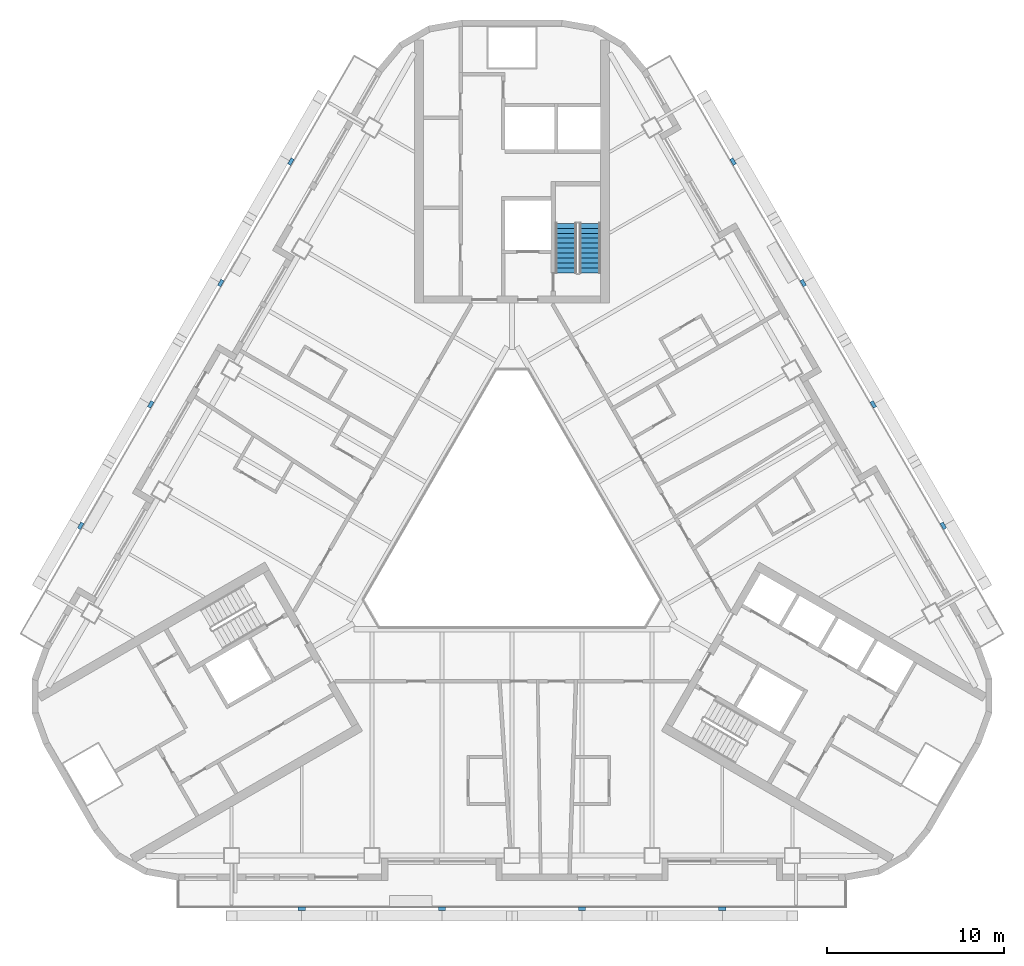
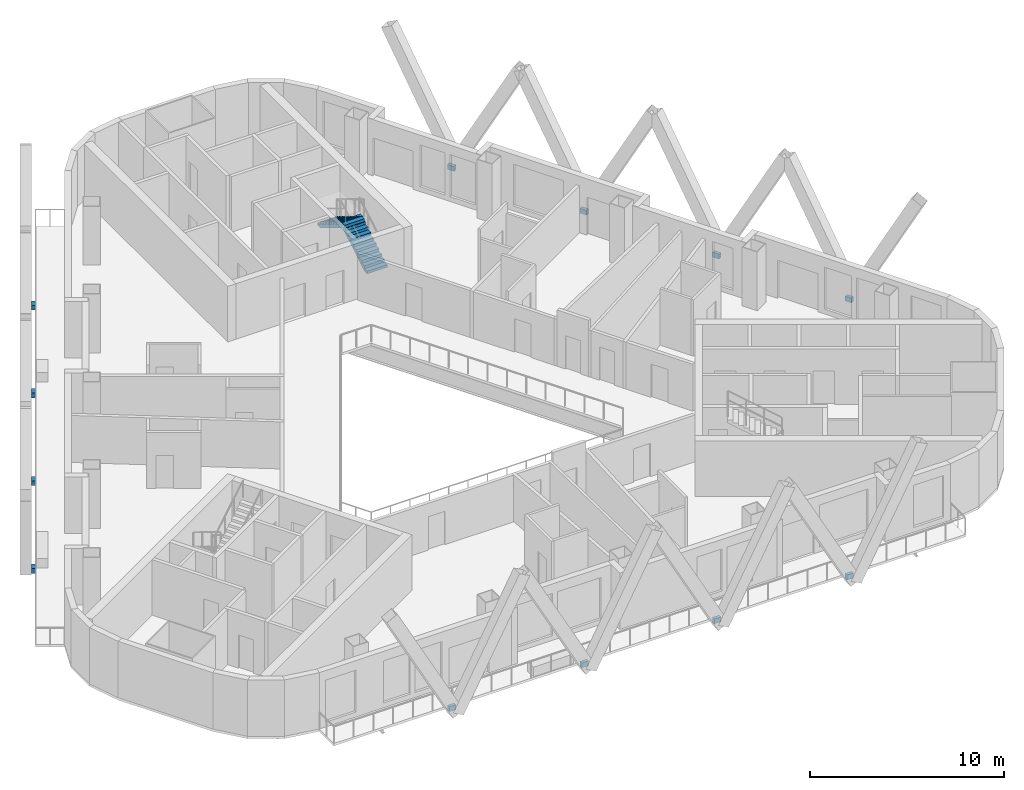
# One storey, part 8 of 14: 12 discrete accessories, 2 stair flights, 1 element without a shape of its own.
"""IFC4 building model written with IfcOpenShell, lengths in metres."""

import ifcopenshell
import ifcopenshell.guid

model = None  # the IFC model being written
_history = None  # IfcOwnerHistory: only IFC2X3 demands one
_inside = {}  # id of a spatial element -> (the spatial element, [elements in it])
_under = {}  # id of a project, library or spatial element -> (it, [spatial elements below it])
_declared = {}  # id of a project -> (the project, [libraries it declares])
_typed = {}  # id of a type object -> (the type object, [elements of that type])
_made_of = {}  # id of a material, layer set ... -> (it, [elements and type objects made of it])


def new_model(schema):
    """Start an empty IFC model of exactly this schema.

    Asked for "IFC4X3", IfcOpenShell would pick the latest addendum, in which some entities
    have other attributes; the version numbers below select the first issue.
    IFC2X3 requires an IfcOwnerHistory on every rooted entity: one is made here for all.
    """
    global model, _history
    if schema == "IFC4X3":
        model = ifcopenshell.file(schema_version=(4, 3, 0, 0))
    else:
        model = ifcopenshell.file(schema=schema)
    _inside.clear()
    _under.clear()
    _declared.clear()
    _typed.clear()
    _made_of.clear()
    _history = None
    if model.schema == "IFC2X3":
        org = make("IfcOrganization", Name="unknown")
        user = make(
            "IfcPersonAndOrganization",
            ThePerson=make("IfcPerson", FamilyName="unknown"),
            TheOrganization=org,
        )
        app = make(
            "IfcApplication",
            ApplicationDeveloper=org,
            Version="unknown",
            ApplicationFullName="unknown",
            ApplicationIdentifier="unknown",
        )
        _history = make(
            "IfcOwnerHistory",
            OwningUser=user,
            OwningApplication=app,
            ChangeAction="ADDED",
            CreationDate=0,
        )
    return model


def make(cls, **values):
    """One entity of the class cls with the attributes given. An attribute that is None is left unset."""
    return model.create_entity(
        cls, **{name: value for name, value in values.items() if value is not None}
    )


def rooted(cls, **values):
    """An entity with a GlobalId (a new one), such as an element, a storey or a relation."""
    return make(cls, GlobalId=ifcopenshell.guid.new(), OwnerHistory=_history, **values)


def si_unit(unit_type, name, prefix=None):
    """IfcSIUnit, for example si_unit("LENGTHUNIT", "METRE", prefix="MILLI")."""
    return make("IfcSIUnit", UnitType=unit_type, Prefix=prefix, Name=name)


def assignment(units):
    """IfcUnitAssignment: the units of a project."""
    return None if units is None else make("IfcUnitAssignment", Units=units)


def point(xyz):
    """IfcCartesianPoint."""
    return None if xyz is None else make("IfcCartesianPoint", Coordinates=xyz)


def direction(xyz):
    """IfcDirection."""
    return None if xyz is None else make("IfcDirection", DirectionRatios=xyz)


def frame(location, z_axis=None, x_axis=None):
    """IfcAxis2Placement3D, a coordinate frame: its origin and axes. An axis left out is left unset."""
    return make(
        "IfcAxis2Placement3D",
        Location=point(location),
        Axis=direction(z_axis),
        RefDirection=direction(x_axis),
    )


def frame_2d(location, x_axis=None):
    """IfcAxis2Placement2D, a coordinate frame in the plane: its origin and x axis."""
    return make(
        "IfcAxis2Placement2D", Location=point(location), RefDirection=direction(x_axis)
    )


def origin():
    """The frame at (0, 0, 0) with its axes left unset."""
    return frame((0.0, 0.0, 0.0))


def origin_2d():
    """The frame at (0, 0) in the plane with its x axis left unset."""
    return frame_2d((0.0, 0.0))


def place(relative_to, where):
    """IfcLocalPlacement: puts the frame where relative to a parent placement (None: the world)."""
    return make(
        "IfcLocalPlacement", PlacementRelTo=relative_to, RelativePlacement=where
    )


def context(
    kind, dimensions, precision=None, world=None, true_north=None, identifier=None
):
    """IfcGeometricRepresentationContext, for example the 3D "Model" context."""
    return make(
        "IfcGeometricRepresentationContext",
        ContextIdentifier=identifier,
        ContextType=kind,
        CoordinateSpaceDimension=dimensions,
        Precision=precision,
        WorldCoordinateSystem=world,
        TrueNorth=true_north,
    )


def subcontext(parent, identifier, kind, view, scale=None):
    """IfcGeometricRepresentationSubContext, for example "Body" below "Model"."""
    return make(
        "IfcGeometricRepresentationSubContext",
        ContextIdentifier=identifier,
        ContextType=kind,
        ParentContext=parent,
        TargetScale=scale,
        TargetView=view,
    )


def project(units=None, contexts=None):
    """IfcProject with its units and contexts."""
    return rooted(
        "IfcProject",
        Name="project",
        RepresentationContexts=contexts,
        UnitsInContext=assignment(units),
    )


def spatial(cls, under=None, at=None, **own):
    """A site, building, storey or space (cls), placed at a placement, below another one or the project."""
    s = rooted(cls, ObjectPlacement=at, **own)
    if under is not None:
        _under.setdefault(under.id(), (under, []))[1].append(s)
    return s


def polyline(points):
    """IfcPolyline through the points."""
    return make("IfcPolyline", Points=[point(p) for p in points])


def profile(cls, at=None, kind="AREA", **sizes):
    """A parametric profile (cls). Its sizes go by their IFC names, for example OverallWidth=200.0."""
    return make(cls, ProfileType=kind, Position=at, **sizes)


def rectangle(**sizes):
    """IfcRectangleProfileDef."""
    return profile("IfcRectangleProfileDef", **sizes)


def outline(outer, holes=None, kind="AREA"):
    """IfcArbitraryClosedProfileDef: a profile drawn as a closed curve; with holes, ...WithVoids."""
    if holes is None:
        return make("IfcArbitraryClosedProfileDef", ProfileType=kind, OuterCurve=outer)
    return make(
        "IfcArbitraryProfileDefWithVoids",
        ProfileType=kind,
        OuterCurve=outer,
        InnerCurves=holes,
    )


def extrude(swept, where, along, depth):
    """IfcExtrudedAreaSolid: the profile swept, set in the frame where, extruded along a direction by depth."""
    return make(
        "IfcExtrudedAreaSolid",
        SweptArea=swept,
        Position=where,
        ExtrudedDirection=direction(along),
        Depth=depth,
    )


def shape(context_of_items, identifier, shape_type, items):
    """IfcShapeRepresentation: the items that make up one representation, for example the "Body"."""
    return make(
        "IfcShapeRepresentation",
        ContextOfItems=context_of_items,
        RepresentationIdentifier=identifier,
        RepresentationType=shape_type,
        Items=items,
    )


def material(Name=None, Category=None):
    """IfcMaterial."""
    return make("IfcMaterial", Name=Name, Category=Category)


def made_of(thing, what):
    """Note that an element or type object is made of a material, layer set ...; save() writes the relation."""
    if what is not None:
        _made_of.setdefault(what.id(), (what, []))[1].append(thing)
    return thing


def type_object(cls, material=None, **own):
    """A type object (cls), such as IfcWallType, which elements share."""
    return made_of(rooted(cls, **own), material)


def element(
    cls,
    number,
    at=None,
    inside=None,
    cuts=None,
    type_object=None,
    material=None,
    context=None,
    identifier="Body",
    shape_type=None,
    held_by="IfcProductDefinitionShape",
    body=None,
    shapes=None,
    **own,
):
    """One element of the class cls, such as IfcWall. Its Tag is "e" and its number.

    at: its placement. inside: the storey or other place that contains it. cuts: it is an
    opening in that element (IfcRelVoidsElement). A single representation is given by context,
    identifier, shape_type and body (its items); several are given by shapes. held_by: the class
    of the entity that holds the representations. save() writes the other relations.
    """
    e = rooted(cls, Tag="e%d" % number, ObjectPlacement=at, **own)
    if body is not None:
        shapes = [shape(context, identifier, shape_type, body)]
    if shapes is not None:
        e.Representation = make(held_by, Representations=shapes)
    if inside is not None:
        _inside.setdefault(inside.id(), (inside, []))[1].append(e)
    if cuts is not None:
        rooted(
            "IfcRelVoidsElement", RelatingBuildingElement=cuts, RelatedOpeningElement=e
        )
    if type_object is not None:
        _typed.setdefault(type_object.id(), (type_object, []))[1].append(e)
    return made_of(e, material)


def aggregate(whole, parts):
    """IfcRelAggregates: a whole, such as a stair, and the parts it consists of."""
    return rooted("IfcRelAggregates", RelatingObject=whole, RelatedObjects=parts)


def save(model, path):
    """Write the relations noted so far, then the file.

    IfcRelAggregates (storeys below a building ...), IfcRelContainedInSpatialStructure (elements
    in a storey), IfcRelDefinesByType, IfcRelAssociatesMaterial and IfcRelDeclares: one each for
    every whole, place, type object, material and project.
    """
    for whole, parts in _under.values():
        aggregate(whole, parts)
    for where, things in _inside.values():
        rooted(
            "IfcRelContainedInSpatialStructure",
            RelatedElements=things,
            RelatingStructure=where,
        )
    for kind, things in _typed.values():
        rooted("IfcRelDefinesByType", RelatedObjects=things, RelatingType=kind)
    for what, things in _made_of.values():
        rooted("IfcRelAssociatesMaterial", RelatedObjects=things, RelatingMaterial=what)
    for by, libraries in _declared.values():
        rooted("IfcRelDeclares", RelatingContext=by, RelatedDefinitions=libraries)
    model.write(path)


model = new_model("IFC4")

# Units and contexts
model_context = context("Model", 3, precision=1e-05, world=origin(), true_north=direction((0.0, 1.0)))
body_context = subcontext(model_context, "Body", "Model", "MODEL_VIEW")
ifc_project = project(units=[si_unit("LENGTHUNIT", "METRE"), si_unit("AREAUNIT", "SQUARE_METRE"), si_unit("VOLUMEUNIT", "CUBIC_METRE"), si_unit("PLANEANGLEUNIT", "RADIAN"), si_unit("MASSUNIT", "GRAM", prefix="KILO")], contexts=[model_context])

# Site, building, storey
site_placement = place(None, origin())
site = spatial("IfcSite", under=ifc_project, at=site_placement, CompositionType="ELEMENT")
building_placement = place(site_placement, origin())
building = spatial("IfcBuilding", under=site, at=building_placement, Name="Apuvela Tower Hotel", CompositionType="ELEMENT")
storey_placement = place(building_placement, frame((0.0, 0.0, 113.10009765625)))
storey = spatial("IfcBuildingStorey", under=building, at=storey_placement, Name="L26", CompositionType="ELEMENT", Elevation=113.10009765625)

# Stair, stair flights
ifc_material_1 = material(Name="Concrete C50/60", Category="concrete")
stair_type = type_object("IfcStairType", Name="COR-STAIR-22R", PredefinedType="HALF_TURN_STAIR", material=ifc_material_1)
stair_placement = place(storey_placement, origin())
stair = element("IfcStair", 1, at=stair_placement, inside=storey, type_object=stair_type, Name="L26 Exit stair ST1", PredefinedType="HALF_TURN_STAIR")
stair_flight_type = type_object("IfcStairFlightType", Name="COR-FLIGHT-11R", PredefinedType="STRAIGHT", material=ifc_material_1)
stair_flight_1_placement = place(storey_placement, frame((4.39990234375, 14.60009765625, 0.0), z_axis=(0.0, 0.0, 1.0), x_axis=(0.0, 1.0, 0.0)))
stair_flight_1 = element("IfcStairFlight", 2, at=stair_flight_1_placement, type_object=stair_flight_type, Name="ST1 flight 1", NumberOfRisers=11, NumberOfTreads=10, PredefinedType="STRAIGHT", RiserHeight=0.168181818, TreadLength=0.28, context=body_context, shape_type="SweptSolid", body=[
    extrude(outline(polyline([(0.0, 0.0), (0.0, 0.168212890625), (0.280029296875, 0.168212890625), (0.280029296875, 0.33642578125), (0.56005859375, 0.33642578125), (0.56005859375, 0.504638671875), (0.840087890625, 0.504638671875), (0.840087890625, 0.672607421875), (1.1201171875, 0.672607421875), (1.1201171875, 0.8408203125), (1.39990234375, 0.8408203125), (1.39990234375, 1.009033203125), (1.679931640625, 1.009033203125), (1.679931640625, 1.17724609375), (1.9599609375, 1.17724609375), (1.9599609375, 1.345458984375), (2.239990234375, 1.345458984375), (2.239990234375, 1.513671875), (2.52001953125, 1.513671875), (2.52001953125, 1.681884765625), (2.800048828125, 1.681884765625), (2.800048828125, 1.85009765625), (2.800048828125, 1.5068359375), (0.291015625, 0.0), (0.0, 0.0)])), frame((0.0, 0.60009765625, 0.0), z_axis=(0.0, -1.0, 0.0), x_axis=(1.0, 0.0, 0.0)), (0.0, 0.0, 1.0), 1.199951171875),
])
stair_flight_2_placement = place(storey_placement, frame((3.050048828125, 17.39990234375, 1.849853515625), z_axis=(0.0, 0.0, 1.0), x_axis=(0.0, -1.0, 0.0)))
stair_flight_2 = element("IfcStairFlight", 3, at=stair_flight_2_placement, type_object=stair_flight_type, Name="ST1 flight 2", NumberOfRisers=11, NumberOfTreads=10, PredefinedType="STRAIGHT", RiserHeight=0.168181818, TreadLength=0.28, context=body_context, shape_type="SweptSolid", body=[
    extrude(outline(polyline([(0.0, 0.0), (0.0, 0.168212890625), (0.280029296875, 0.168212890625), (0.280029296875, 0.33642578125), (0.56005859375, 0.33642578125), (0.56005859375, 0.504638671875), (0.840087890625, 0.504638671875), (0.840087890625, 0.672607421875), (1.1201171875, 0.672607421875), (1.1201171875, 0.8408203125), (1.39990234375, 0.8408203125), (1.39990234375, 1.009033203125), (1.679931640625, 1.009033203125), (1.679931640625, 1.17724609375), (1.9599609375, 1.17724609375), (1.9599609375, 1.345458984375), (2.239990234375, 1.345458984375), (2.239990234375, 1.513671875), (2.52001953125, 1.513671875), (2.52001953125, 1.681884765625), (2.800048828125, 1.681884765625), (2.800048828125, 1.85009765625), (2.800048828125, 1.5068359375), (0.291015625, 0.0), (0.0, 0.0)])), frame((0.0, 0.60009765625, 0.0), z_axis=(0.0, -1.0, 0.0), x_axis=(1.0, 0.0, 0.0)), (0.0, 0.0, 1.0), 1.199951171875),
])
aggregate(stair, [stair_flight_1, stair_flight_2])

# Discrete accessories
ifc_material_2 = material(Name="Steel S355, black paint system", Category="steel")
discrete_accessory_type = type_object("IfcDiscreteAccessoryType", Name="ENV-FIN-BRACKET", PredefinedType="BRACKET", material=ifc_material_2)
for number, where, z_axis, x_axis, name in (
    (4, (24.310791015625, 0.3525390625, -0.25), (0.0, 0.0, 1.0), (-0.5, 0.866025403784, 0.0), "Fin bracket NE42"),
    (5, (20.360595703125, 7.194091796875, -0.25), (0.0, 0.0, 1.0), (-0.5, 0.866025403784, 0.0), "Fin bracket NE43"),
    (6, (16.41064453125, 14.035888671875, -0.25), (0.0, 0.0, 1.0), (-0.5, 0.866025403784, 0.0), "Fin bracket NE44"),
    (7, (12.460693359375, 20.87744140625, -0.25), (0.0, 0.0, 1.0), (-0.5, 0.866025403784, 0.0), "Fin bracket NE45"),
    (8, (-12.460693359375, 20.87744140625, -0.25), (0.0, 0.0, 1.0), (-0.5, -0.866025403784, 0.0), "Fin bracket NW191"),
    (9, (-16.41064453125, 14.035888671875, -0.25), (0.0, 0.0, 1.0), (-0.5, -0.866025403784, 0.0), "Fin bracket NW192"),
    (10, (-20.360595703125, 7.194091796875, -0.25), (0.0, 0.0, 1.0), (-0.5, -0.866025403784, 0.0), "Fin bracket NW193"),
    (11, (-24.310791015625, 0.3525390625, -0.25), (0.0, 0.0, 1.0), (-0.5, -0.866025403784, 0.0), "Fin bracket NW194"),
    (12, (-11.85009765625, -21.22998046875, -0.25), (0.0, 0.0, 1.0), (1.0, 0.0, 0.0), "Fin bracket S341"),
    (13, (-3.949951171875, -21.22998046875, -0.25), (0.0, 0.0, 1.0), (1.0, 0.0, 0.0), "Fin bracket S342"),
    (14, (3.949951171875, -21.22998046875, -0.25), (0.0, 0.0, 1.0), (1.0, 0.0, 0.0), "Fin bracket S343"),
    (15, (11.85009765625, -21.22998046875, -0.25), (0.0, 0.0, 1.0), (1.0, 0.0, 0.0), "Fin bracket S344"),
):
    element("IfcDiscreteAccessory", number, at=place(storey_placement, frame(where, z_axis=z_axis, x_axis=x_axis)), inside=storey, type_object=discrete_accessory_type, Name=name, PredefinedType="BRACKET", context=body_context, shape_type="SweptSolid", body=[
        extrude(rectangle(XDim=0.39990234375, YDim=0.199951171875, at=origin_2d()), origin(), (0.0, 0.0, 1.0), 0.300048828125),
    ])

save(model, "model.ifc")
